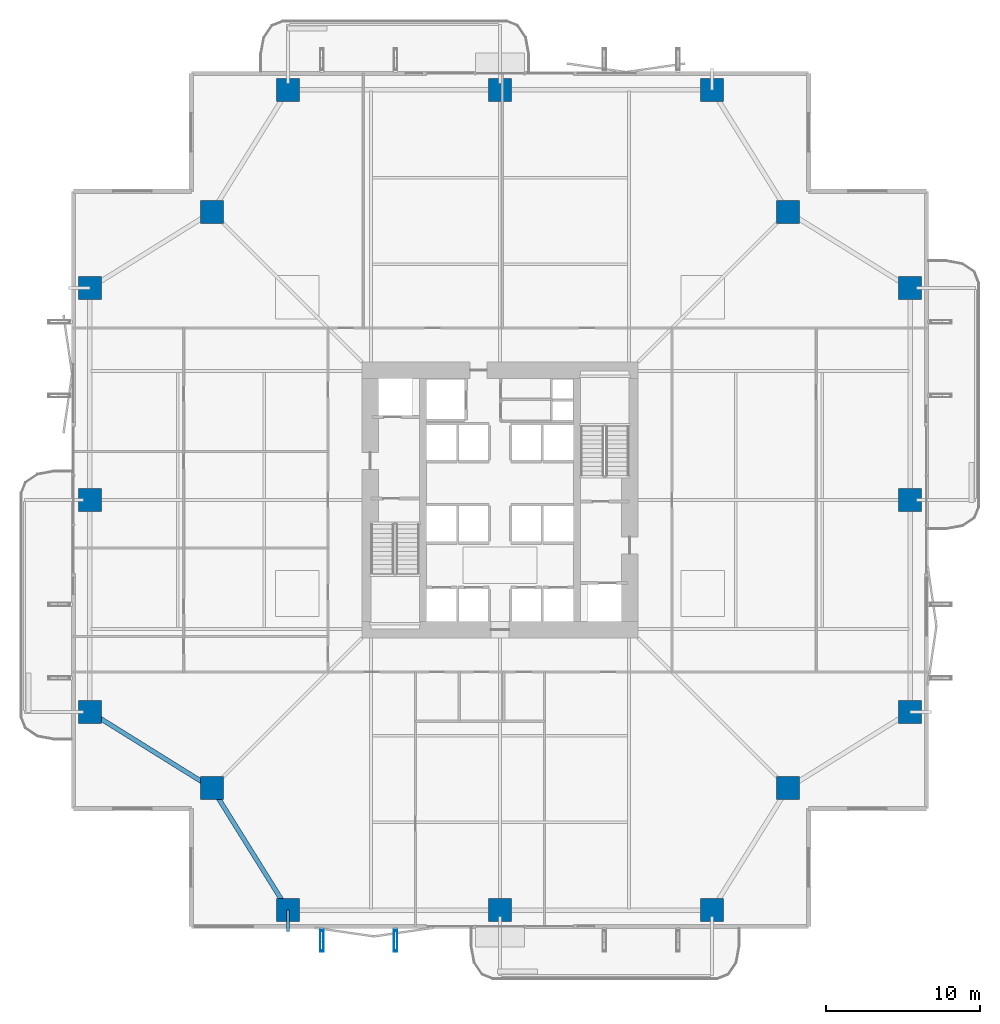
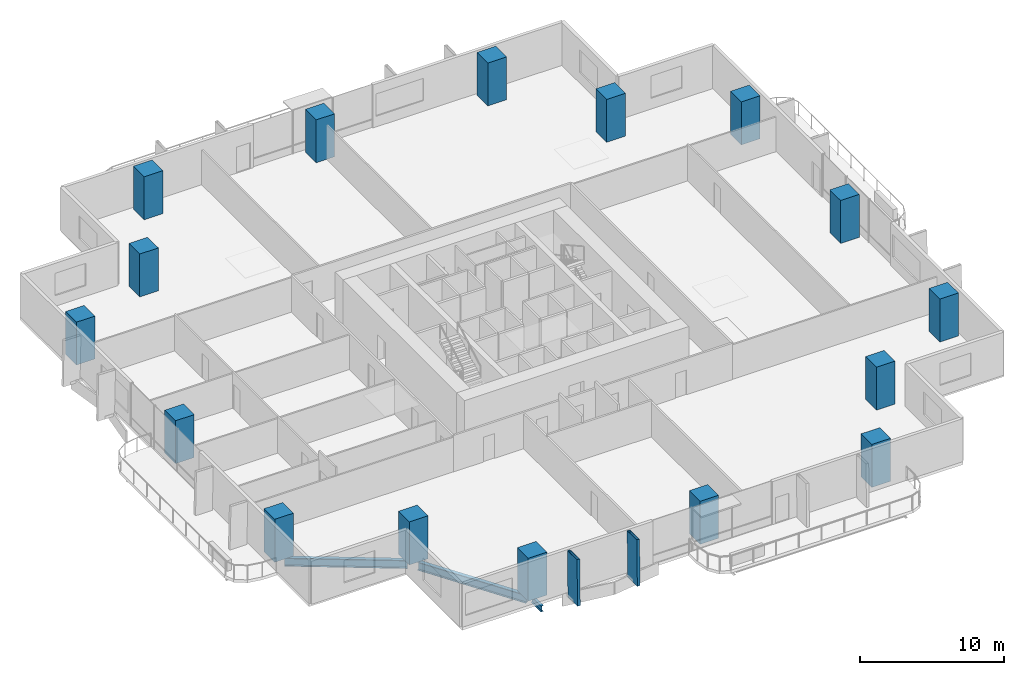
# One storey, part 1 of 24: 16 columns, 3 beams, 2 members.
"""IFC4 building model written with IfcOpenShell, lengths in metres."""

import ifcopenshell
import ifcopenshell.guid

model = None  # the IFC model being written
_history = None  # IfcOwnerHistory: only IFC2X3 demands one
_inside = {}  # id of a spatial element -> (the spatial element, [elements in it])
_under = {}  # id of a project, library or spatial element -> (it, [spatial elements below it])
_declared = {}  # id of a project -> (the project, [libraries it declares])
_typed = {}  # id of a type object -> (the type object, [elements of that type])
_made_of = {}  # id of a material, layer set ... -> (it, [elements and type objects made of it])


def new_model(schema):
    """Start an empty IFC model of exactly this schema.

    Asked for "IFC4X3", IfcOpenShell would pick the latest addendum, in which some entities
    have other attributes; the version numbers below select the first issue.
    IFC2X3 requires an IfcOwnerHistory on every rooted entity: one is made here for all.
    """
    global model, _history
    if schema == "IFC4X3":
        model = ifcopenshell.file(schema_version=(4, 3, 0, 0))
    else:
        model = ifcopenshell.file(schema=schema)
    _inside.clear()
    _under.clear()
    _declared.clear()
    _typed.clear()
    _made_of.clear()
    _history = None
    if model.schema == "IFC2X3":
        org = make("IfcOrganization", Name="unknown")
        user = make(
            "IfcPersonAndOrganization",
            ThePerson=make("IfcPerson", FamilyName="unknown"),
            TheOrganization=org,
        )
        app = make(
            "IfcApplication",
            ApplicationDeveloper=org,
            Version="unknown",
            ApplicationFullName="unknown",
            ApplicationIdentifier="unknown",
        )
        _history = make(
            "IfcOwnerHistory",
            OwningUser=user,
            OwningApplication=app,
            ChangeAction="ADDED",
            CreationDate=0,
        )
    return model


def make(cls, **values):
    """One entity of the class cls with the attributes given. An attribute that is None is left unset."""
    return model.create_entity(
        cls, **{name: value for name, value in values.items() if value is not None}
    )


def rooted(cls, **values):
    """An entity with a GlobalId (a new one), such as an element, a storey or a relation."""
    return make(cls, GlobalId=ifcopenshell.guid.new(), OwnerHistory=_history, **values)


def si_unit(unit_type, name, prefix=None):
    """IfcSIUnit, for example si_unit("LENGTHUNIT", "METRE", prefix="MILLI")."""
    return make("IfcSIUnit", UnitType=unit_type, Prefix=prefix, Name=name)


def assignment(units):
    """IfcUnitAssignment: the units of a project."""
    return None if units is None else make("IfcUnitAssignment", Units=units)


def point(xyz):
    """IfcCartesianPoint."""
    return None if xyz is None else make("IfcCartesianPoint", Coordinates=xyz)


def direction(xyz):
    """IfcDirection."""
    return None if xyz is None else make("IfcDirection", DirectionRatios=xyz)


def frame(location, z_axis=None, x_axis=None):
    """IfcAxis2Placement3D, a coordinate frame: its origin and axes. An axis left out is left unset."""
    return make(
        "IfcAxis2Placement3D",
        Location=point(location),
        Axis=direction(z_axis),
        RefDirection=direction(x_axis),
    )


def frame_2d(location, x_axis=None):
    """IfcAxis2Placement2D, a coordinate frame in the plane: its origin and x axis."""
    return make(
        "IfcAxis2Placement2D", Location=point(location), RefDirection=direction(x_axis)
    )


def origin():
    """The frame at (0, 0, 0) with its axes left unset."""
    return frame((0.0, 0.0, 0.0))


def origin_2d():
    """The frame at (0, 0) in the plane with its x axis left unset."""
    return frame_2d((0.0, 0.0))


def place(relative_to, where):
    """IfcLocalPlacement: puts the frame where relative to a parent placement (None: the world)."""
    return make(
        "IfcLocalPlacement", PlacementRelTo=relative_to, RelativePlacement=where
    )


def context(
    kind, dimensions, precision=None, world=None, true_north=None, identifier=None
):
    """IfcGeometricRepresentationContext, for example the 3D "Model" context."""
    return make(
        "IfcGeometricRepresentationContext",
        ContextIdentifier=identifier,
        ContextType=kind,
        CoordinateSpaceDimension=dimensions,
        Precision=precision,
        WorldCoordinateSystem=world,
        TrueNorth=true_north,
    )


def subcontext(parent, identifier, kind, view, scale=None):
    """IfcGeometricRepresentationSubContext, for example "Body" below "Model"."""
    return make(
        "IfcGeometricRepresentationSubContext",
        ContextIdentifier=identifier,
        ContextType=kind,
        ParentContext=parent,
        TargetScale=scale,
        TargetView=view,
    )


def project(units=None, contexts=None):
    """IfcProject with its units and contexts."""
    return rooted(
        "IfcProject",
        Name="project",
        RepresentationContexts=contexts,
        UnitsInContext=assignment(units),
    )


def spatial(cls, under=None, at=None, **own):
    """A site, building, storey or space (cls), placed at a placement, below another one or the project."""
    s = rooted(cls, ObjectPlacement=at, **own)
    if under is not None:
        _under.setdefault(under.id(), (under, []))[1].append(s)
    return s


def profile(cls, at=None, kind="AREA", **sizes):
    """A parametric profile (cls). Its sizes go by their IFC names, for example OverallWidth=200.0."""
    return make(cls, ProfileType=kind, Position=at, **sizes)


def rectangle(**sizes):
    """IfcRectangleProfileDef."""
    return profile("IfcRectangleProfileDef", **sizes)


def hollow_rectangle(**sizes):
    """IfcRectangleHollowProfileDef."""
    return profile("IfcRectangleHollowProfileDef", **sizes)


def i_section(**sizes):
    """IfcIShapeProfileDef."""
    return profile("IfcIShapeProfileDef", **sizes)


def extrude(swept, where, along, depth):
    """IfcExtrudedAreaSolid: the profile swept, set in the frame where, extruded along a direction by depth."""
    return make(
        "IfcExtrudedAreaSolid",
        SweptArea=swept,
        Position=where,
        ExtrudedDirection=direction(along),
        Depth=depth,
    )


def shape(context_of_items, identifier, shape_type, items):
    """IfcShapeRepresentation: the items that make up one representation, for example the "Body"."""
    return make(
        "IfcShapeRepresentation",
        ContextOfItems=context_of_items,
        RepresentationIdentifier=identifier,
        RepresentationType=shape_type,
        Items=items,
    )


def material(Name=None, Category=None):
    """IfcMaterial."""
    return make("IfcMaterial", Name=Name, Category=Category)


def material_profile(
    of_material, cross_section, Name=None, Category=None, Priority=None
):
    """IfcMaterialProfile: a cross section and its material."""
    return make(
        "IfcMaterialProfile",
        Name=Name,
        Material=of_material,
        Profile=cross_section,
        Priority=Priority,
        Category=Category,
    )


def profile_set(profiles, Name=None, composite=None):
    """IfcMaterialProfileSet."""
    return make(
        "IfcMaterialProfileSet",
        Name=Name,
        MaterialProfiles=profiles,
        CompositeProfile=composite,
    )


def made_of(thing, what):
    """Note that an element or type object is made of a material, layer set ...; save() writes the relation."""
    if what is not None:
        _made_of.setdefault(what.id(), (what, []))[1].append(thing)
    return thing


def type_object(cls, material=None, **own):
    """A type object (cls), such as IfcWallType, which elements share."""
    return made_of(rooted(cls, **own), material)


def element(
    cls,
    number,
    at=None,
    inside=None,
    cuts=None,
    type_object=None,
    material=None,
    context=None,
    identifier="Body",
    shape_type=None,
    held_by="IfcProductDefinitionShape",
    body=None,
    shapes=None,
    **own,
):
    """One element of the class cls, such as IfcWall. Its Tag is "e" and its number.

    at: its placement. inside: the storey or other place that contains it. cuts: it is an
    opening in that element (IfcRelVoidsElement). A single representation is given by context,
    identifier, shape_type and body (its items); several are given by shapes. held_by: the class
    of the entity that holds the representations. save() writes the other relations.
    """
    e = rooted(cls, Tag="e%d" % number, ObjectPlacement=at, **own)
    if body is not None:
        shapes = [shape(context, identifier, shape_type, body)]
    if shapes is not None:
        e.Representation = make(held_by, Representations=shapes)
    if inside is not None:
        _inside.setdefault(inside.id(), (inside, []))[1].append(e)
    if cuts is not None:
        rooted(
            "IfcRelVoidsElement", RelatingBuildingElement=cuts, RelatedOpeningElement=e
        )
    if type_object is not None:
        _typed.setdefault(type_object.id(), (type_object, []))[1].append(e)
    return made_of(e, material)


def aggregate(whole, parts):
    """IfcRelAggregates: a whole, such as a stair, and the parts it consists of."""
    return rooted("IfcRelAggregates", RelatingObject=whole, RelatedObjects=parts)


def save(model, path):
    """Write the relations noted so far, then the file.

    IfcRelAggregates (storeys below a building ...), IfcRelContainedInSpatialStructure (elements
    in a storey), IfcRelDefinesByType, IfcRelAssociatesMaterial and IfcRelDeclares: one each for
    every whole, place, type object, material and project.
    """
    for whole, parts in _under.values():
        aggregate(whole, parts)
    for where, things in _inside.values():
        rooted(
            "IfcRelContainedInSpatialStructure",
            RelatedElements=things,
            RelatingStructure=where,
        )
    for kind, things in _typed.values():
        rooted("IfcRelDefinesByType", RelatedObjects=things, RelatingType=kind)
    for what, things in _made_of.values():
        rooted("IfcRelAssociatesMaterial", RelatedObjects=things, RelatingMaterial=what)
    for by, libraries in _declared.values():
        rooted("IfcRelDeclares", RelatingContext=by, RelatedDefinitions=libraries)
    model.write(path)


model = new_model("IFC4")

# Units and contexts
model_context = context("Model", 3, precision=1e-05, world=origin(), true_north=direction((0.0, 1.0)))
body_context = subcontext(model_context, "Body", "Model", "MODEL_VIEW")
ifc_project = project(units=[si_unit("LENGTHUNIT", "METRE"), si_unit("AREAUNIT", "SQUARE_METRE"), si_unit("VOLUMEUNIT", "CUBIC_METRE"), si_unit("PLANEANGLEUNIT", "RADIAN"), si_unit("MASSUNIT", "GRAM", prefix="KILO")], contexts=[model_context])

# Site, building, storey
site_placement = place(None, origin())
site = spatial("IfcSite", under=ifc_project, at=site_placement, CompositionType="ELEMENT")
building_placement = place(site_placement, origin())
building = spatial("IfcBuilding", under=site, at=building_placement, Name="Belovzor Exchange Tower", CompositionType="ELEMENT")
storey_placement = place(building_placement, frame((0.0, 0.0, 80.699951171875)))
storey = spatial("IfcBuildingStorey", under=building, at=storey_placement, Name="L19", CompositionType="ELEMENT", Elevation=80.699951171875)

# Columns
ifc_material_1 = material(Name="Concrete C60/75", Category="concrete")
ifc_material_profile_1 = material_profile(ifc_material_1, rectangle(XDim=1.5, YDim=1.5, at=origin_2d()))
ifc_profile_set_1 = profile_set([ifc_material_profile_1], Name="Concrete C60/75")
column_type = type_object("IfcColumnType", Name="Reinforced Concrete Tower Column 1500x1500", PredefinedType="COLUMN", material=ifc_profile_set_1)
for number, where, z_axis, x_axis, name in (
    (1, (15.0, 2.10009765625, 0.0029296875), (0.0, 0.0, 1.0), (1.0, 0.0, 0.0), "COL-T150 Reinforced Concrete Tower Column 1500x1500"),
    (2, (28.800048828125, 2.10009765625, 0.0029296875), (0.0, 0.0, 1.0), (1.0, 0.0, 0.0), "COL-T150 Reinforced Concrete Tower Column 1500x1500"),
    (3, (42.60009765625, 2.10009765625, 0.0029296875), (0.0, 0.0, 1.0), (1.0, 0.0, 0.0), "COL-T150 Reinforced Concrete Tower Column 1500x1500"),
    (4, (55.5, 15.0, 0.0029296875), (0.0, 0.0, 1.0), (1.0, 0.0, 0.0), "COL-T150 Reinforced Concrete Tower Column 1500x1500"),
    (5, (55.5, 28.800048828125, 0.0029296875), (0.0, 0.0, 1.0), (1.0, 0.0, 0.0), "COL-T150 Reinforced Concrete Tower Column 1500x1500"),
    (6, (55.5, 42.60009765625, 0.0029296875), (0.0, 0.0, 1.0), (1.0, 0.0, 0.0), "COL-T150 Reinforced Concrete Tower Column 1500x1500"),
    (7, (42.60009765625, 55.5, 0.0029296875), (0.0, 0.0, 1.0), (1.0, 0.0, 0.0), "COL-T150 Reinforced Concrete Tower Column 1500x1500"),
    (8, (28.800048828125, 55.5, 0.0029296875), (0.0, 0.0, 1.0), (1.0, 0.0, 0.0), "COL-T150 Reinforced Concrete Tower Column 1500x1500"),
    (9, (15.0, 55.5, 0.0029296875), (0.0, 0.0, 1.0), (1.0, 0.0, 0.0), "COL-T150 Reinforced Concrete Tower Column 1500x1500"),
    (10, (2.10009765625, 42.60009765625, 0.0029296875), (0.0, 0.0, 1.0), (1.0, 0.0, 0.0), "COL-T150 Reinforced Concrete Tower Column 1500x1500"),
    (11, (2.10009765625, 28.800048828125, 0.0029296875), (0.0, 0.0, 1.0), (1.0, 0.0, 0.0), "COL-T150 Reinforced Concrete Tower Column 1500x1500"),
    (12, (2.10009765625, 15.0, 0.0029296875), (0.0, 0.0, 1.0), (1.0, 0.0, 0.0), "COL-T150 Reinforced Concrete Tower Column 1500x1500"),
    (13, (10.050048828125, 10.050048828125, 0.0029296875), (0.0, 0.0, 1.0), (1.0, 0.0, 0.0), "COL-T150 Reinforced Concrete Tower Column 1500x1500"),
    (14, (47.550048828125, 10.050048828125, 0.0029296875), (0.0, 0.0, 1.0), (1.0, 0.0, 0.0), "COL-T150 Reinforced Concrete Tower Column 1500x1500"),
    (15, (47.550048828125, 47.550048828125, 0.0029296875), (0.0, 0.0, 1.0), (1.0, 0.0, 0.0), "COL-T150 Reinforced Concrete Tower Column 1500x1500"),
    (16, (10.050048828125, 47.550048828125, 0.0029296875), (0.0, 0.0, 1.0), (1.0, 0.0, 0.0), "COL-T150 Reinforced Concrete Tower Column 1500x1500"),
):
    element("IfcColumn", number, at=place(storey_placement, frame(where, z_axis=z_axis, x_axis=x_axis)), inside=storey, type_object=column_type, Name=name, PredefinedType="COLUMN", context=body_context, shape_type="SweptSolid", body=[
        extrude(rectangle(XDim=1.5, YDim=1.5, at=origin_2d()), origin(), (0.0, 0.0, 1.0), 3.64404296875),
    ])

# Members
ifc_material_2 = material(Name="Extruded Architectural Terracotta on Steel S355 Carrier", Category="masonry")
ifc_material_profile_2 = material_profile(ifc_material_2, hollow_rectangle(XDim=0.219970703125, YDim=1.35009765625, WallThickness=0.013916015625, at=origin_2d()))
ifc_profile_set_2 = profile_set([ifc_material_profile_2], Name="Extruded Architectural Terracotta on Steel S355 Carrier")
member_type = type_object("IfcMemberType", Name="Base Arc Sweeping Terracotta Pylon Fin 1450", PredefinedType="USERDEFINED", material=ifc_profile_set_2)
for number, where, z_axis, x_axis, name in (
    (17, (17.199951171875, 0.072021484375, -0.25), (0.0, 0.019964721036, 0.999800685094), (-1.0, 0.0, 0.0), "FIN-TC145 Terracotta Facade Fin L19 S1"),
    (18, (22.0, 0.072021484375, -0.25), (0.0, 0.019964721036, 0.999800685094), (-1.0, 0.0, 0.0), "FIN-TC145 Terracotta Facade Fin L19 S2"),
):
    element("IfcMember", number, at=place(storey_placement, frame(where, z_axis=z_axis, x_axis=x_axis)), inside=storey, type_object=member_type, Name=name, ObjectType="FIN", PredefinedType="USERDEFINED", context=body_context, shape_type="SweptSolid", body=[
        extrude(hollow_rectangle(XDim=0.219970703125, YDim=1.35009765625, WallThickness=0.013916015625, at=origin_2d()), origin(), (0.0, 0.0, 1.0), 3.90087890625),
    ])

# Beams
ifc_material_3 = material(Name="Steel S355", Category="steel")
ifc_material_profile_3 = material_profile(ifc_material_3, i_section(OverallWidth=0.199951171875, OverallDepth=0.5, WebThickness=0.01025390625, FlangeThickness=0.01611328125, at=origin_2d()))
ifc_profile_set_3 = profile_set([ifc_material_profile_3], Name="Steel S355")
beam_type_1 = type_object("IfcBeamType", Name="Planted Balcony Cantilever Beam IPE 500", PredefinedType="BEAM", material=ifc_profile_set_3)
beam_placement = place(storey_placement, frame((15.0, 2.10009765625, -0.5), z_axis=(0.0, -1.0, 0.0), x_axis=(1.0, 0.0, 0.0)))
element("IfcBeam", 19, at=beam_placement, inside=storey, type_object=beam_type_1, Name="BC-500 Planted Balcony Cantilever Beam IPE 500", PredefinedType="BEAM", context=body_context, shape_type="SweptSolid", body=[
    extrude(i_section(OverallWidth=0.199951171875, OverallDepth=0.5, WebThickness=0.01025390625, FlangeThickness=0.01611328125, at=origin_2d()), origin(), (0.0, 0.0, 1.0), 1.400146484375),
])
ifc_material_4 = material(Name="Steel S355", Category="steel")
ifc_material_profile_4 = material_profile(ifc_material_4, i_section(OverallWidth=0.300048828125, OverallDepth=0.699951171875, WebThickness=0.01708984375, FlangeThickness=0.031982421875, at=origin_2d()))
ifc_profile_set_4 = profile_set([ifc_material_profile_4], Name="Steel S355")
beam_type_2 = type_object("IfcBeamType", Name="Zone 1 Primary Perimeter Girder HEB 700", PredefinedType="BEAM", material=ifc_profile_set_4)
for number, where, z_axis, x_axis, name in (
    (20, (10.26806640625, 9.699951171875, -0.599853515625), (0.528538629686, -0.848909251292, 0.0), (0.848909251292, 0.528538629686, 0.0), "FG-Z1 Zone 1 Primary Perimeter Girder HEB 700"),
    (21, (2.449951171875, 14.781982421875, -0.599853515625), (0.848909251292, -0.528538629686, 0.0), (0.528538629686, 0.848909251292, 0.0), "FG-Z1 Zone 1 Primary Perimeter Girder HEB 700"),
):
    element("IfcBeam", number, at=place(storey_placement, frame(where, z_axis=z_axis, x_axis=x_axis)), inside=storey, type_object=beam_type_2, Name=name, PredefinedType="BEAM", context=body_context, shape_type="SweptSolid", body=[
        extrude(i_section(OverallWidth=0.300048828125, OverallDepth=0.699951171875, WebThickness=0.01708984375, FlangeThickness=0.031982421875, at=origin_2d()), origin(), (0.0, 0.0, 1.0), 8.540283203125),
    ])

save(model, "model.ifc")
